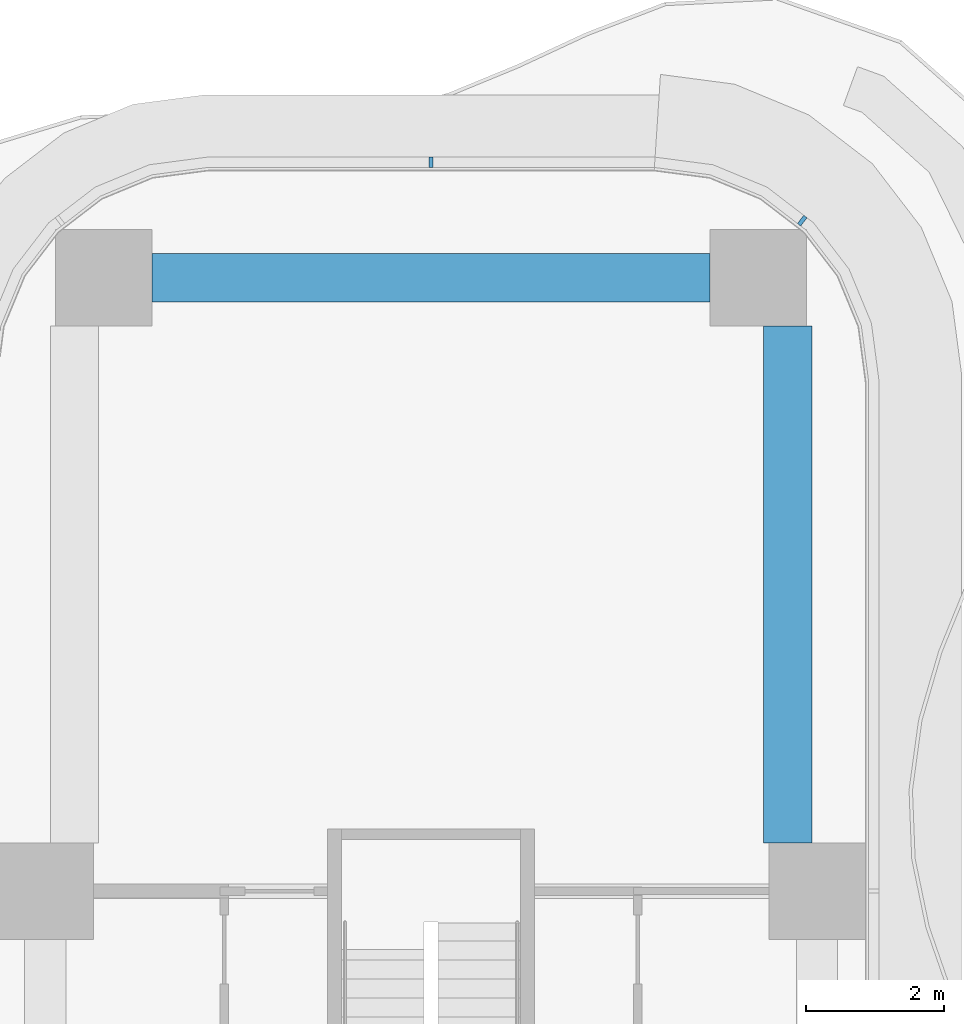
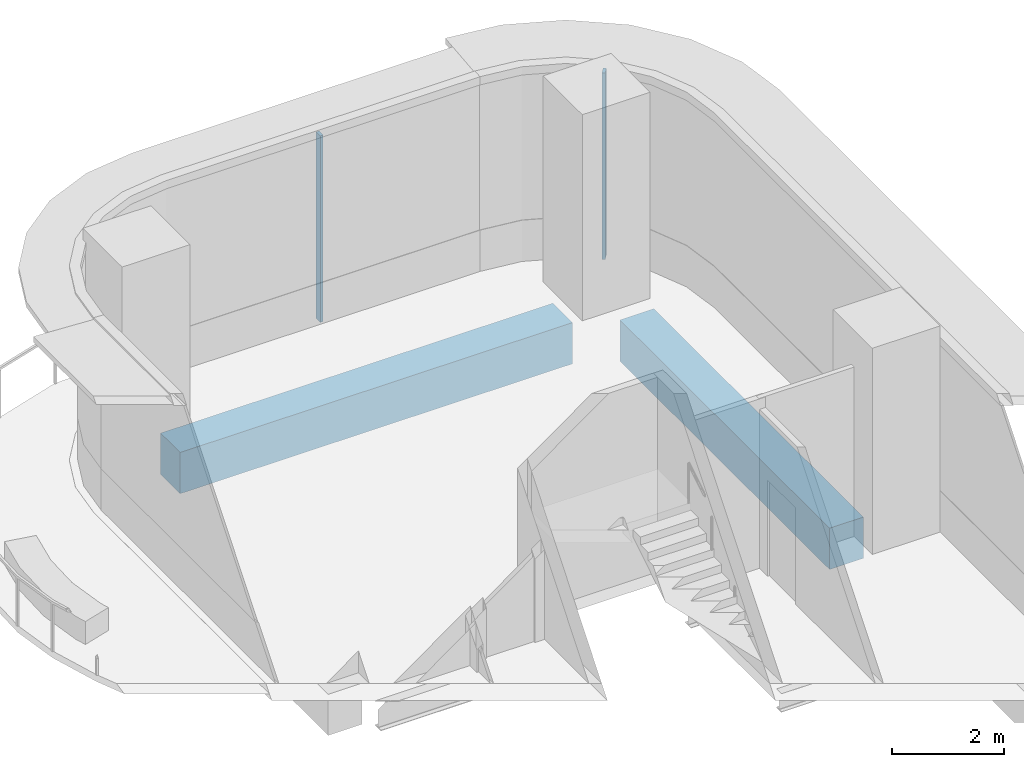
# One storey, part 12 of 22: 2 beams, 2 members, 2 elements without a shape of their own.
"""IFC4 building model written with IfcOpenShell, lengths in metres."""

from ifc_helpers import new_model, si_unit, direction, frame, origin, origin_2d, place, context, subcontext, project, spatial, rectangle, extrude, source, transform, mapped, material, layer, layer_set, material_profile, profile_set, type_object, element, aggregate, save


model = new_model("IFC4")

# Units and contexts
model_context = context("Model", 3, precision=1e-05, world=origin(), true_north=direction((0.0, 1.0)))
body_context = subcontext(model_context, "Body", "Model", "MODEL_VIEW")
ifc_project = project(units=[si_unit("LENGTHUNIT", "METRE"), si_unit("AREAUNIT", "SQUARE_METRE"), si_unit("VOLUMEUNIT", "CUBIC_METRE"), si_unit("PLANEANGLEUNIT", "RADIAN"), si_unit("MASSUNIT", "GRAM", prefix="KILO")], contexts=[model_context])

# Site, building, storey
site_placement = place(None, origin())
site = spatial("IfcSite", under=ifc_project, at=site_placement, CompositionType="ELEMENT")
building_placement = place(site_placement, origin())
building = spatial("IfcBuilding", under=site, at=building_placement, Name="Trellis Farm Tower", CompositionType="ELEMENT")
storey_placement = place(building_placement, frame((0.0, 0.0, 38.5)))
storey = spatial("IfcBuildingStorey", under=building, at=storey_placement, Name="L07", CompositionType="ELEMENT", Elevation=38.5)

# Beams
ifc_material_1 = material(Name="Concrete C60/75", Category="concrete")
ifc_material_profile_1 = material_profile(ifc_material_1, rectangle(XDim=0.699951171875, YDim=0.89990234375, at=origin_2d()), Name="RC spandrel beam 700x900 C60/75")
ifc_profile_set_1 = profile_set([ifc_material_profile_1], Name="Concrete C60/75")
beam_type = type_object("IfcBeamType", Name="RC spandrel beam 700x900 C60/75", PredefinedType="SPANDREL", material=ifc_profile_set_1)
shared_shape_1 = source(origin(), body_context, "Body", "SweptSolid", [
    extrude(rectangle(XDim=0.699951171875, YDim=0.89990234375, at=origin_2d()), origin(), (0.0, 0.0, 1.0), 8.10009765625),
])
beam_1_placement = place(storey_placement, frame((-4.050048828125, 27.5, -0.699951171875), z_axis=(1.0, 0.0, 0.0), x_axis=(0.0, 1.0, 0.0)))
element("IfcBeam", 1, at=beam_1_placement, inside=storey, type_object=beam_type, Name="Girder", PredefinedType="SPANDREL", context=body_context, shape_type="MappedRepresentation", body=[
    mapped(shared_shape_1, transform((0.0, 0.0, 0.0))),
])
shared_shape_2 = source(origin(), body_context, "Body", "SweptSolid", [
    extrude(rectangle(XDim=0.699951171875, YDim=0.89990234375, at=origin_2d()), origin(), (0.0, 0.0, 1.0), 7.5),
])
beam_2_placement = place(storey_placement, frame((5.175048828125, 19.300048828125, -0.699951171875), z_axis=(0.0, 1.0, 0.0), x_axis=(-1.0, 0.0, 0.0)))
element("IfcBeam", 2, at=beam_2_placement, inside=storey, type_object=beam_type, Name="Girder", PredefinedType="SPANDREL", context=body_context, shape_type="MappedRepresentation", body=[
    mapped(shared_shape_2, transform((0.0, 0.0, 0.0))),
])

# Curtain wall, member
ifc_material_2 = material(Name="Aluminium and glass curtain wall", Category="aluminium")
ifc_layer = layer(ifc_material_2, 0.18994140625)
ifc_layer_set = layer_set([ifc_layer], Name="RIBBON CURTAIN WALL CW1")
curtain_wall_type = type_object("IfcCurtainWallType", Name="RIBBON CURTAIN WALL CW1", PredefinedType="NOTDEFINED", material=ifc_layer_set)
placement = place(storey_placement, origin())
curtain_wall_1 = element("IfcCurtainWall", 3, at=placement, inside=storey, type_object=curtain_wall_type, Name="CW1 009", PredefinedType="NOTDEFINED")
ifc_material_3 = material(Name="Aluminium extrusion 6063-T6", Category="aluminium")
ifc_material_profile_2 = material_profile(ifc_material_3, rectangle(XDim=0.06005859375, YDim=0.14990234375, at=origin_2d()), Name="MULLION 60x150")
ifc_profile_set_2 = profile_set([ifc_material_profile_2], Name="Aluminium extrusion 6063-T6")
member_type = type_object("IfcMemberType", Name="CW1 MULLION 60x150", PredefinedType="MULLION", material=ifc_profile_set_2)
shared_shape_3 = source(origin(), body_context, "Body", "SweptSolid", [
    extrude(rectangle(XDim=0.06005859375, YDim=0.14990234375, at=origin_2d()), origin(), (0.0, 0.0, 1.0), 4.070068359375),
])
member_1_placement = place(storey_placement, frame((5.385498046875, 28.328369140625, 0.0), z_axis=(0.0, 0.0, 1.0), x_axis=(-0.793353340291, 0.608761429009, 0.0)))
member_1 = element("IfcMember", 4, at=member_1_placement, type_object=member_type, Name="MU1 009-03", PredefinedType="MULLION", context=body_context, shape_type="MappedRepresentation", body=[
    mapped(shared_shape_3, transform((0.0, 0.0, 0.0))),
])
aggregate(curtain_wall_1, [member_1])

curtain_wall_2 = element("IfcCurtainWall", 5, at=placement, inside=storey, type_object=curtain_wall_type, Name="CW1 010", PredefinedType="NOTDEFINED")
member_2_placement = place(storey_placement, frame((0.0, 29.175048828125, 0.0), z_axis=(0.0, 0.0, 1.0), x_axis=(-1.0, 0.0, 0.0)))
member_2 = element("IfcMember", 6, at=member_2_placement, type_object=member_type, Name="MU1 010-01", PredefinedType="MULLION", context=body_context, shape_type="MappedRepresentation", body=[
    mapped(shared_shape_3, transform((0.0, 0.0, 0.0))),
])
aggregate(curtain_wall_2, [member_2])

save(model, "model.ifc")
